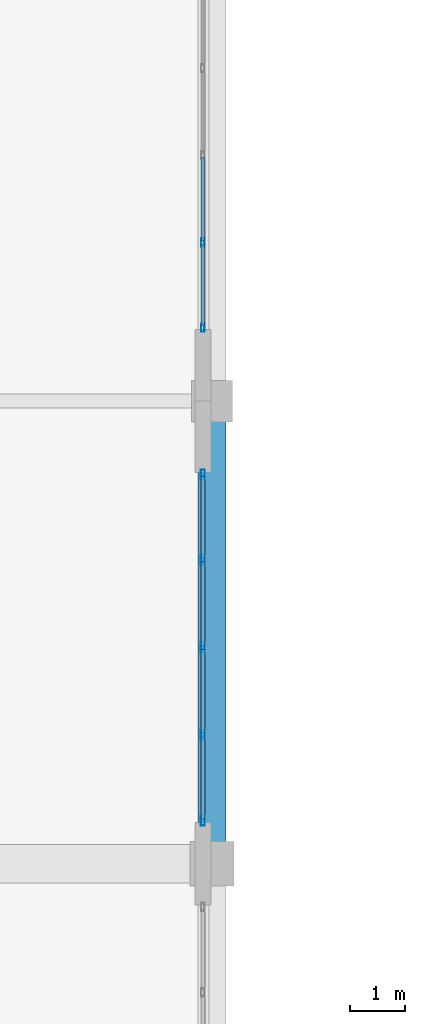
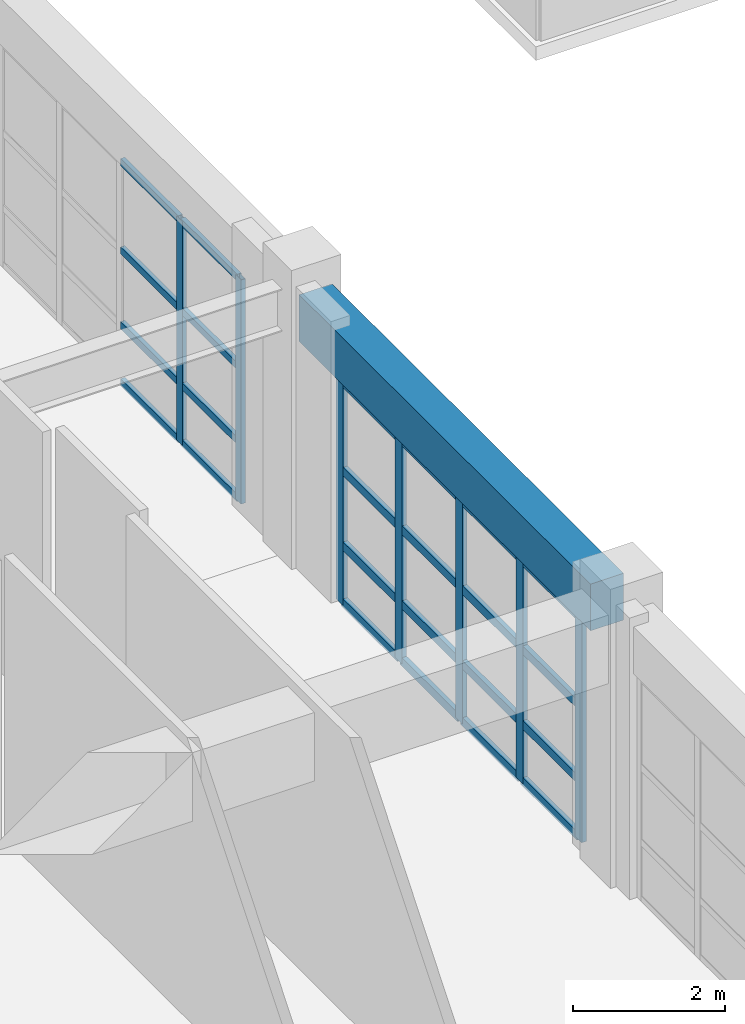
# One storey, part 24 of 123: 31 members, 1 beam, 2 elements without a shape of their own.
"""IFC4 building model written with IfcOpenShell, lengths in metres."""

from ifc_helpers import new_model, si_unit, direction, frame, origin, origin_2d, place, context, subcontext, project, spatial, rectangle, hollow_rectangle, extrude, material, layer, layer_set, material_profile, profile_set, type_object, element, aggregate, save


model = new_model("IFC4")

# Units and contexts
model_context = context("Model", 3, precision=1e-05, world=origin(), true_north=direction((0.0, 1.0)))
body_context = subcontext(model_context, "Body", "Model", "MODEL_VIEW")
ifc_project = project(units=[si_unit("LENGTHUNIT", "METRE"), si_unit("AREAUNIT", "SQUARE_METRE"), si_unit("VOLUMEUNIT", "CUBIC_METRE"), si_unit("PLANEANGLEUNIT", "RADIAN"), si_unit("MASSUNIT", "GRAM", prefix="KILO")], contexts=[model_context])

# Site, building, storey
site_placement = place(None, origin())
site = spatial("IfcSite", under=ifc_project, at=site_placement, CompositionType="ELEMENT")
building_placement = place(site_placement, origin())
building = spatial("IfcBuilding", under=site, at=building_placement, Name="Quendrovan Civic Courthouse", CompositionType="ELEMENT")
storey_placement = place(building_placement, frame((0.0, 0.0, 5.39990234375)))
storey = spatial("IfcBuildingStorey", under=building, at=storey_placement, Name="L02", CompositionType="ELEMENT", Elevation=5.39990234375)

# Beam
ifc_material_1 = material(Name="Concrete C40/50", Category="concrete")
ifc_material_profile_1 = material_profile(ifc_material_1, rectangle(XDim=0.5, YDim=0.75, at=origin_2d()), Name="RC-BM-500x750")
ifc_profile_set_1 = profile_set([ifc_material_profile_1], Name="Concrete C40/50")
beam_type = type_object("IfcBeamType", Name="BM-RC750", PredefinedType="SPANDREL", material=ifc_profile_set_1)
beam_placement = place(storey_placement, frame((16.800048828125, 48.3798828125, 3.985107421875), z_axis=(0.0, 1.0, 0.0), x_axis=(-1.0, 0.0, 0.0)))
element("IfcBeam", 1, at=beam_placement, inside=storey, type_object=beam_type, Name="L02 Girder Y0628", PredefinedType="SPANDREL", context=body_context, shape_type="SweptSolid", body=[
    extrude(rectangle(XDim=0.5, YDim=0.75, at=origin_2d()), origin(), (0.0, 0.0, 1.0), 7.6650390625),
])

# Curtain wall, members
ifc_material_2 = material(Name="Bronze anodised aluminium and low-E glass", Category="aluminium")
ifc_layer_1 = layer(ifc_material_2, 0.179931640625, Name="Bronze anodised aluminium and low-E glass")
ifc_layer_set_1 = layer_set([ifc_layer_1], Name="Bronze anodised aluminium and low-E glass")
curtain_wall_type_1 = type_object("IfcCurtainWallType", Name="CW-U64x36", PredefinedType="USERDEFINED", material=ifc_layer_set_1)
curtain_wall_1_placement = place(storey_placement, origin())
curtain_wall_1 = element("IfcCurtainWall", 2, at=curtain_wall_1_placement, inside=storey, type_object=curtain_wall_type_1, Name="L02 Unitised Hurricane Curtain Wall CW-074", ObjectType="UNITISED CURTAIN WALL", PredefinedType="USERDEFINED")
ifc_material_3 = material(Name="Bronze anodised aluminium", Category="aluminium")
ifc_material_profile_2 = material_profile(ifc_material_3, hollow_rectangle(XDim=0.070068359375, YDim=0.179931640625, WallThickness=0.00390625, at=origin_2d()), Name="CW-MULL-70x180")
ifc_profile_set_2 = profile_set([ifc_material_profile_2], Name="Bronze anodised aluminium")
member_type_1 = type_object("IfcMemberType", Name="CW-MULL-A", PredefinedType="MULLION", material=ifc_profile_set_2)
member_1_placement = place(storey_placement, frame((16.635009765625, 55.06494140625, 0.0), z_axis=(0.0, 0.0, 1.0), x_axis=(1.0, 0.0, 0.0)))
member_1 = element("IfcMember", 3, at=member_1_placement, type_object=member_type_1, Name="CW-074 mullion 1", PredefinedType="MULLION", context=body_context, shape_type="SweptSolid", body=[
    extrude(hollow_rectangle(XDim=0.070068359375, YDim=0.179931640625, WallThickness=0.00390625, at=origin_2d()), origin(), (0.0, 0.0, 1.0), 3.60009765625),
])
member_2_placement = place(storey_placement, frame((16.635009765625, 53.512451171875, 0.0), z_axis=(0.0, 0.0, 1.0), x_axis=(1.0, 0.0, 0.0)))
member_2 = element("IfcMember", 4, at=member_2_placement, type_object=member_type_1, Name="CW-074 mullion 2", PredefinedType="MULLION", context=body_context, shape_type="SweptSolid", body=[
    extrude(hollow_rectangle(XDim=0.070068359375, YDim=0.179931640625, WallThickness=0.00390625, at=origin_2d()), origin(), (0.0, 0.0, 1.0), 3.60009765625),
])
member_3_placement = place(storey_placement, frame((16.635009765625, 51.925048828125, 0.0), z_axis=(0.0, 0.0, 1.0), x_axis=(1.0, 0.0, 0.0)))
member_3 = element("IfcMember", 5, at=member_3_placement, type_object=member_type_1, Name="CW-074 mullion 3", PredefinedType="MULLION", context=body_context, shape_type="SweptSolid", body=[
    extrude(hollow_rectangle(XDim=0.070068359375, YDim=0.179931640625, WallThickness=0.00390625, at=origin_2d()), origin(), (0.0, 0.0, 1.0), 3.60009765625),
])
member_4_placement = place(storey_placement, frame((16.635009765625, 50.33740234375, 0.0), z_axis=(0.0, 0.0, 1.0), x_axis=(1.0, 0.0, 0.0)))
member_4 = element("IfcMember", 6, at=member_4_placement, type_object=member_type_1, Name="CW-074 mullion 4", PredefinedType="MULLION", context=body_context, shape_type="SweptSolid", body=[
    extrude(hollow_rectangle(XDim=0.070068359375, YDim=0.179931640625, WallThickness=0.00390625, at=origin_2d()), origin(), (0.0, 0.0, 1.0), 3.60009765625),
])
member_5_placement = place(storey_placement, frame((16.635009765625, 48.784912109375, 0.0), z_axis=(0.0, 0.0, 1.0), x_axis=(1.0, 0.0, 0.0)))
member_5 = element("IfcMember", 7, at=member_5_placement, type_object=member_type_1, Name="CW-074 mullion 5", PredefinedType="MULLION", context=body_context, shape_type="SweptSolid", body=[
    extrude(hollow_rectangle(XDim=0.070068359375, YDim=0.179931640625, WallThickness=0.00390625, at=origin_2d()), origin(), (0.0, 0.0, 1.0), 3.60009765625),
])

ifc_layer_2 = layer(ifc_material_2, 0.179931640625, Name="Bronze anodised aluminium and low-E glass")
ifc_layer_set_2 = layer_set([ifc_layer_2], Name="Bronze anodised aluminium and low-E glass")
curtain_wall_type_2 = type_object("IfcCurtainWallType", Name="CW-U63x36", PredefinedType="USERDEFINED", material=ifc_layer_set_2)
curtain_wall_2_placement = place(storey_placement, origin())
curtain_wall_2 = element("IfcCurtainWall", 8, at=curtain_wall_2_placement, inside=storey, type_object=curtain_wall_type_2, Name="L02 Unitised Hurricane Curtain Wall CW-073", ObjectType="UNITISED CURTAIN WALL", PredefinedType="USERDEFINED")
ifc_material_profile_3 = material_profile(ifc_material_3, hollow_rectangle(XDim=0.06494140625, YDim=0.14990234375, WallThickness=0.00390625, at=origin_2d()), Name="CW-MULL-65x150")
ifc_profile_set_3 = profile_set([ifc_material_profile_3], Name="Bronze anodised aluminium")
member_type_2 = type_object("IfcMemberType", Name="CW-MULL-B", PredefinedType="MULLION", material=ifc_profile_set_3)
member_6_placement = place(storey_placement, frame((16.635009765625, 59.28125, 0.0), z_axis=(0.0, 0.0, 1.0), x_axis=(1.0, 0.0, 0.0)))
member_6 = element("IfcMember", 9, at=member_6_placement, type_object=member_type_2, Name="CW-073 mullion 4", PredefinedType="MULLION", context=body_context, shape_type="SweptSolid", body=[
    extrude(hollow_rectangle(XDim=0.06494140625, YDim=0.14990234375, WallThickness=0.00390625, at=origin_2d()), origin(), (0.0, 0.0, 1.0), 3.60009765625),
])
member_7_placement = place(storey_placement, frame((16.635009765625, 57.732421875, 0.0), z_axis=(0.0, 0.0, 1.0), x_axis=(1.0, 0.0, 0.0)))
member_7 = element("IfcMember", 10, at=member_7_placement, type_object=member_type_2, Name="CW-073 mullion 5", PredefinedType="MULLION", context=body_context, shape_type="SweptSolid", body=[
    extrude(hollow_rectangle(XDim=0.06494140625, YDim=0.14990234375, WallThickness=0.00390625, at=origin_2d()), origin(), (0.0, 0.0, 1.0), 3.60009765625),
])

# Member
ifc_material_profile_4 = material_profile(ifc_material_3, hollow_rectangle(XDim=0.070068359375, YDim=0.139892578125, WallThickness=0.00390625, at=origin_2d()), Name="CW-TRAN-70x140")
ifc_profile_set_4 = profile_set([ifc_material_profile_4], Name="Bronze anodised aluminium")
member_type_3 = type_object("IfcMemberType", Name="CW-TRAN-A", PredefinedType="USERDEFINED", material=ifc_profile_set_4)
member_8_placement = place(storey_placement, frame((16.635009765625, 55.030029296875, 0.03515625), z_axis=(0.0, -1.0, 0.0), x_axis=(1.0, 0.0, 0.0)))
member_8 = element("IfcMember", 11, at=member_8_placement, type_object=member_type_3, Name="CW-074 transom 1.1", ObjectType="TRANSOM", PredefinedType="USERDEFINED", context=body_context, shape_type="SweptSolid", body=[
    extrude(hollow_rectangle(XDim=0.070068359375, YDim=0.139892578125, WallThickness=0.00390625, at=origin_2d()), origin(), (0.0, 0.0, 1.0), 1.482421875),
])

member_9_placement = place(storey_placement, frame((16.635009765625, 55.030029296875, 0.9501953125), z_axis=(0.0, -1.0, 0.0), x_axis=(1.0, 0.0, 0.0)))
member_9 = element("IfcMember", 12, at=member_9_placement, type_object=member_type_3, Name="CW-074 transom 1.2", ObjectType="TRANSOM", PredefinedType="USERDEFINED", context=body_context, shape_type="SweptSolid", body=[
    extrude(hollow_rectangle(XDim=0.070068359375, YDim=0.139892578125, WallThickness=0.00390625, at=origin_2d()), origin(), (0.0, 0.0, 1.0), 1.482421875),
])

member_10_placement = place(storey_placement, frame((16.635009765625, 55.030029296875, 2.150146484375), z_axis=(0.0, -1.0, 0.0), x_axis=(1.0, 0.0, 0.0)))
member_10 = element("IfcMember", 13, at=member_10_placement, type_object=member_type_3, Name="CW-074 transom 1.3", ObjectType="TRANSOM", PredefinedType="USERDEFINED", context=body_context, shape_type="SweptSolid", body=[
    extrude(hollow_rectangle(XDim=0.070068359375, YDim=0.139892578125, WallThickness=0.00390625, at=origin_2d()), origin(), (0.0, 0.0, 1.0), 1.482421875),
])

member_11_placement = place(storey_placement, frame((16.635009765625, 55.030029296875, 3.565185546875), z_axis=(0.0, -1.0, 0.0), x_axis=(1.0, 0.0, 0.0)))
member_11 = element("IfcMember", 14, at=member_11_placement, type_object=member_type_3, Name="CW-074 transom 1.4", ObjectType="TRANSOM", PredefinedType="USERDEFINED", context=body_context, shape_type="SweptSolid", body=[
    extrude(hollow_rectangle(XDim=0.070068359375, YDim=0.139892578125, WallThickness=0.00390625, at=origin_2d()), origin(), (0.0, 0.0, 1.0), 1.482421875),
])

member_12_placement = place(storey_placement, frame((16.635009765625, 53.4775390625, 0.03515625), z_axis=(0.0, -1.0, 0.0), x_axis=(1.0, 0.0, 0.0)))
member_12 = element("IfcMember", 15, at=member_12_placement, type_object=member_type_3, Name="CW-074 transom 2.1", ObjectType="TRANSOM", PredefinedType="USERDEFINED", context=body_context, shape_type="SweptSolid", body=[
    extrude(hollow_rectangle(XDim=0.070068359375, YDim=0.139892578125, WallThickness=0.00390625, at=origin_2d()), origin(), (0.0, 0.0, 1.0), 1.517578125),
])

member_13_placement = place(storey_placement, frame((16.635009765625, 53.4775390625, 0.9501953125), z_axis=(0.0, -1.0, 0.0), x_axis=(1.0, 0.0, 0.0)))
member_13 = element("IfcMember", 16, at=member_13_placement, type_object=member_type_3, Name="CW-074 transom 2.2", ObjectType="TRANSOM", PredefinedType="USERDEFINED", context=body_context, shape_type="SweptSolid", body=[
    extrude(hollow_rectangle(XDim=0.070068359375, YDim=0.139892578125, WallThickness=0.00390625, at=origin_2d()), origin(), (0.0, 0.0, 1.0), 1.517578125),
])

member_14_placement = place(storey_placement, frame((16.635009765625, 53.4775390625, 2.150146484375), z_axis=(0.0, -1.0, 0.0), x_axis=(1.0, 0.0, 0.0)))
member_14 = element("IfcMember", 17, at=member_14_placement, type_object=member_type_3, Name="CW-074 transom 2.3", ObjectType="TRANSOM", PredefinedType="USERDEFINED", context=body_context, shape_type="SweptSolid", body=[
    extrude(hollow_rectangle(XDim=0.070068359375, YDim=0.139892578125, WallThickness=0.00390625, at=origin_2d()), origin(), (0.0, 0.0, 1.0), 1.517578125),
])

member_15_placement = place(storey_placement, frame((16.635009765625, 53.4775390625, 3.565185546875), z_axis=(0.0, -1.0, 0.0), x_axis=(1.0, 0.0, 0.0)))
member_15 = element("IfcMember", 18, at=member_15_placement, type_object=member_type_3, Name="CW-074 transom 2.4", ObjectType="TRANSOM", PredefinedType="USERDEFINED", context=body_context, shape_type="SweptSolid", body=[
    extrude(hollow_rectangle(XDim=0.070068359375, YDim=0.139892578125, WallThickness=0.00390625, at=origin_2d()), origin(), (0.0, 0.0, 1.0), 1.517578125),
])

member_16_placement = place(storey_placement, frame((16.635009765625, 51.889892578125, 0.03515625), z_axis=(0.0, -1.0, 0.0), x_axis=(1.0, 0.0, 0.0)))
member_16 = element("IfcMember", 19, at=member_16_placement, type_object=member_type_3, Name="CW-074 transom 3.1", ObjectType="TRANSOM", PredefinedType="USERDEFINED", context=body_context, shape_type="SweptSolid", body=[
    extrude(hollow_rectangle(XDim=0.070068359375, YDim=0.139892578125, WallThickness=0.00390625, at=origin_2d()), origin(), (0.0, 0.0, 1.0), 1.517333984375),
])

member_17_placement = place(storey_placement, frame((16.635009765625, 51.889892578125, 0.9501953125), z_axis=(0.0, -1.0, 0.0), x_axis=(1.0, 0.0, 0.0)))
member_17 = element("IfcMember", 20, at=member_17_placement, type_object=member_type_3, Name="CW-074 transom 3.2", ObjectType="TRANSOM", PredefinedType="USERDEFINED", context=body_context, shape_type="SweptSolid", body=[
    extrude(hollow_rectangle(XDim=0.070068359375, YDim=0.139892578125, WallThickness=0.00390625, at=origin_2d()), origin(), (0.0, 0.0, 1.0), 1.517333984375),
])

member_18_placement = place(storey_placement, frame((16.635009765625, 51.889892578125, 2.150146484375), z_axis=(0.0, -1.0, 0.0), x_axis=(1.0, 0.0, 0.0)))
member_18 = element("IfcMember", 21, at=member_18_placement, type_object=member_type_3, Name="CW-074 transom 3.3", ObjectType="TRANSOM", PredefinedType="USERDEFINED", context=body_context, shape_type="SweptSolid", body=[
    extrude(hollow_rectangle(XDim=0.070068359375, YDim=0.139892578125, WallThickness=0.00390625, at=origin_2d()), origin(), (0.0, 0.0, 1.0), 1.517333984375),
])

member_19_placement = place(storey_placement, frame((16.635009765625, 51.889892578125, 3.565185546875), z_axis=(0.0, -1.0, 0.0), x_axis=(1.0, 0.0, 0.0)))
member_19 = element("IfcMember", 22, at=member_19_placement, type_object=member_type_3, Name="CW-074 transom 3.4", ObjectType="TRANSOM", PredefinedType="USERDEFINED", context=body_context, shape_type="SweptSolid", body=[
    extrude(hollow_rectangle(XDim=0.070068359375, YDim=0.139892578125, WallThickness=0.00390625, at=origin_2d()), origin(), (0.0, 0.0, 1.0), 1.517333984375),
])

member_20_placement = place(storey_placement, frame((16.635009765625, 50.302490234375, 0.03515625), z_axis=(0.0, -1.0, 0.0), x_axis=(1.0, 0.0, 0.0)))
member_20 = element("IfcMember", 23, at=member_20_placement, type_object=member_type_3, Name="CW-074 transom 4.1", ObjectType="TRANSOM", PredefinedType="USERDEFINED", context=body_context, shape_type="SweptSolid", body=[
    extrude(hollow_rectangle(XDim=0.070068359375, YDim=0.139892578125, WallThickness=0.00390625, at=origin_2d()), origin(), (0.0, 0.0, 1.0), 1.482421875),
])

member_21_placement = place(storey_placement, frame((16.635009765625, 50.302490234375, 0.9501953125), z_axis=(0.0, -1.0, 0.0), x_axis=(1.0, 0.0, 0.0)))
member_21 = element("IfcMember", 24, at=member_21_placement, type_object=member_type_3, Name="CW-074 transom 4.2", ObjectType="TRANSOM", PredefinedType="USERDEFINED", context=body_context, shape_type="SweptSolid", body=[
    extrude(hollow_rectangle(XDim=0.070068359375, YDim=0.139892578125, WallThickness=0.00390625, at=origin_2d()), origin(), (0.0, 0.0, 1.0), 1.482421875),
])

member_22_placement = place(storey_placement, frame((16.635009765625, 50.302490234375, 2.150146484375), z_axis=(0.0, -1.0, 0.0), x_axis=(1.0, 0.0, 0.0)))
member_22 = element("IfcMember", 25, at=member_22_placement, type_object=member_type_3, Name="CW-074 transom 4.3", ObjectType="TRANSOM", PredefinedType="USERDEFINED", context=body_context, shape_type="SweptSolid", body=[
    extrude(hollow_rectangle(XDim=0.070068359375, YDim=0.139892578125, WallThickness=0.00390625, at=origin_2d()), origin(), (0.0, 0.0, 1.0), 1.482421875),
])

member_23_placement = place(storey_placement, frame((16.635009765625, 50.302490234375, 3.565185546875), z_axis=(0.0, -1.0, 0.0), x_axis=(1.0, 0.0, 0.0)))
member_23 = element("IfcMember", 26, at=member_23_placement, type_object=member_type_3, Name="CW-074 transom 4.4", ObjectType="TRANSOM", PredefinedType="USERDEFINED", context=body_context, shape_type="SweptSolid", body=[
    extrude(hollow_rectangle(XDim=0.070068359375, YDim=0.139892578125, WallThickness=0.00390625, at=origin_2d()), origin(), (0.0, 0.0, 1.0), 1.482421875),
])

aggregate(curtain_wall_1, [member_1, member_2, member_3, member_4, member_5, member_8, member_9, member_10, member_11, member_12, member_13, member_14, member_15, member_16, member_17, member_18, member_19, member_20, member_21, member_22, member_23])

ifc_material_profile_5 = material_profile(ifc_material_3, hollow_rectangle(XDim=0.06494140625, YDim=0.114990234375, WallThickness=0.00390625, at=origin_2d()), Name="CW-TRAN-65x115")
ifc_profile_set_5 = profile_set([ifc_material_profile_5], Name="Bronze anodised aluminium")
member_type_4 = type_object("IfcMemberType", Name="CW-TRAN-B", PredefinedType="USERDEFINED", material=ifc_profile_set_5)
member_24_placement = place(storey_placement, frame((16.635009765625, 60.830078125, 0.03271484375), z_axis=(0.0, -1.0, 0.0), x_axis=(1.0, 0.0, 0.0)))
member_24 = element("IfcMember", 27, at=member_24_placement, type_object=member_type_4, Name="CW-073 transom 3.1", ObjectType="TRANSOM", PredefinedType="USERDEFINED", context=body_context, shape_type="SweptSolid", body=[
    extrude(hollow_rectangle(XDim=0.06494140625, YDim=0.114990234375, WallThickness=0.00390625, at=origin_2d()), origin(), (0.0, 0.0, 1.0), 1.516357421875),
])

member_25_placement = place(storey_placement, frame((16.635009765625, 60.830078125, 0.9501953125), z_axis=(0.0, -1.0, 0.0), x_axis=(1.0, 0.0, 0.0)))
member_25 = element("IfcMember", 28, at=member_25_placement, type_object=member_type_4, Name="CW-073 transom 3.2", ObjectType="TRANSOM", PredefinedType="USERDEFINED", context=body_context, shape_type="SweptSolid", body=[
    extrude(hollow_rectangle(XDim=0.06494140625, YDim=0.114990234375, WallThickness=0.00390625, at=origin_2d()), origin(), (0.0, 0.0, 1.0), 1.516357421875),
])

member_26_placement = place(storey_placement, frame((16.635009765625, 60.830078125, 2.150146484375), z_axis=(0.0, -1.0, 0.0), x_axis=(1.0, 0.0, 0.0)))
member_26 = element("IfcMember", 29, at=member_26_placement, type_object=member_type_4, Name="CW-073 transom 3.3", ObjectType="TRANSOM", PredefinedType="USERDEFINED", context=body_context, shape_type="SweptSolid", body=[
    extrude(hollow_rectangle(XDim=0.06494140625, YDim=0.114990234375, WallThickness=0.00390625, at=origin_2d()), origin(), (0.0, 0.0, 1.0), 1.516357421875),
])

member_27_placement = place(storey_placement, frame((16.635009765625, 60.830078125, 3.567626953125), z_axis=(0.0, -1.0, 0.0), x_axis=(1.0, 0.0, 0.0)))
member_27 = element("IfcMember", 30, at=member_27_placement, type_object=member_type_4, Name="CW-073 transom 3.4", ObjectType="TRANSOM", PredefinedType="USERDEFINED", context=body_context, shape_type="SweptSolid", body=[
    extrude(hollow_rectangle(XDim=0.06494140625, YDim=0.114990234375, WallThickness=0.00390625, at=origin_2d()), origin(), (0.0, 0.0, 1.0), 1.516357421875),
])

member_28_placement = place(storey_placement, frame((16.635009765625, 59.248779296875, 0.03271484375), z_axis=(0.0, -1.0, 0.0), x_axis=(1.0, 0.0, 0.0)))
member_28 = element("IfcMember", 31, at=member_28_placement, type_object=member_type_4, Name="CW-073 transom 4.1", ObjectType="TRANSOM", PredefinedType="USERDEFINED", context=body_context, shape_type="SweptSolid", body=[
    extrude(hollow_rectangle(XDim=0.06494140625, YDim=0.114990234375, WallThickness=0.00390625, at=origin_2d()), origin(), (0.0, 0.0, 1.0), 1.48388671875),
])

member_29_placement = place(storey_placement, frame((16.635009765625, 59.248779296875, 0.9501953125), z_axis=(0.0, -1.0, 0.0), x_axis=(1.0, 0.0, 0.0)))
member_29 = element("IfcMember", 32, at=member_29_placement, type_object=member_type_4, Name="CW-073 transom 4.2", ObjectType="TRANSOM", PredefinedType="USERDEFINED", context=body_context, shape_type="SweptSolid", body=[
    extrude(hollow_rectangle(XDim=0.06494140625, YDim=0.114990234375, WallThickness=0.00390625, at=origin_2d()), origin(), (0.0, 0.0, 1.0), 1.48388671875),
])

member_30_placement = place(storey_placement, frame((16.635009765625, 59.248779296875, 2.150146484375), z_axis=(0.0, -1.0, 0.0), x_axis=(1.0, 0.0, 0.0)))
member_30 = element("IfcMember", 33, at=member_30_placement, type_object=member_type_4, Name="CW-073 transom 4.3", ObjectType="TRANSOM", PredefinedType="USERDEFINED", context=body_context, shape_type="SweptSolid", body=[
    extrude(hollow_rectangle(XDim=0.06494140625, YDim=0.114990234375, WallThickness=0.00390625, at=origin_2d()), origin(), (0.0, 0.0, 1.0), 1.48388671875),
])

member_31_placement = place(storey_placement, frame((16.635009765625, 59.248779296875, 3.567626953125), z_axis=(0.0, -1.0, 0.0), x_axis=(1.0, 0.0, 0.0)))
member_31 = element("IfcMember", 34, at=member_31_placement, type_object=member_type_4, Name="CW-073 transom 4.4", ObjectType="TRANSOM", PredefinedType="USERDEFINED", context=body_context, shape_type="SweptSolid", body=[
    extrude(hollow_rectangle(XDim=0.06494140625, YDim=0.114990234375, WallThickness=0.00390625, at=origin_2d()), origin(), (0.0, 0.0, 1.0), 1.48388671875),
])

aggregate(curtain_wall_2, [member_6, member_7, member_24, member_25, member_26, member_27, member_28, member_29, member_30, member_31])

save(model, "model.ifc")
